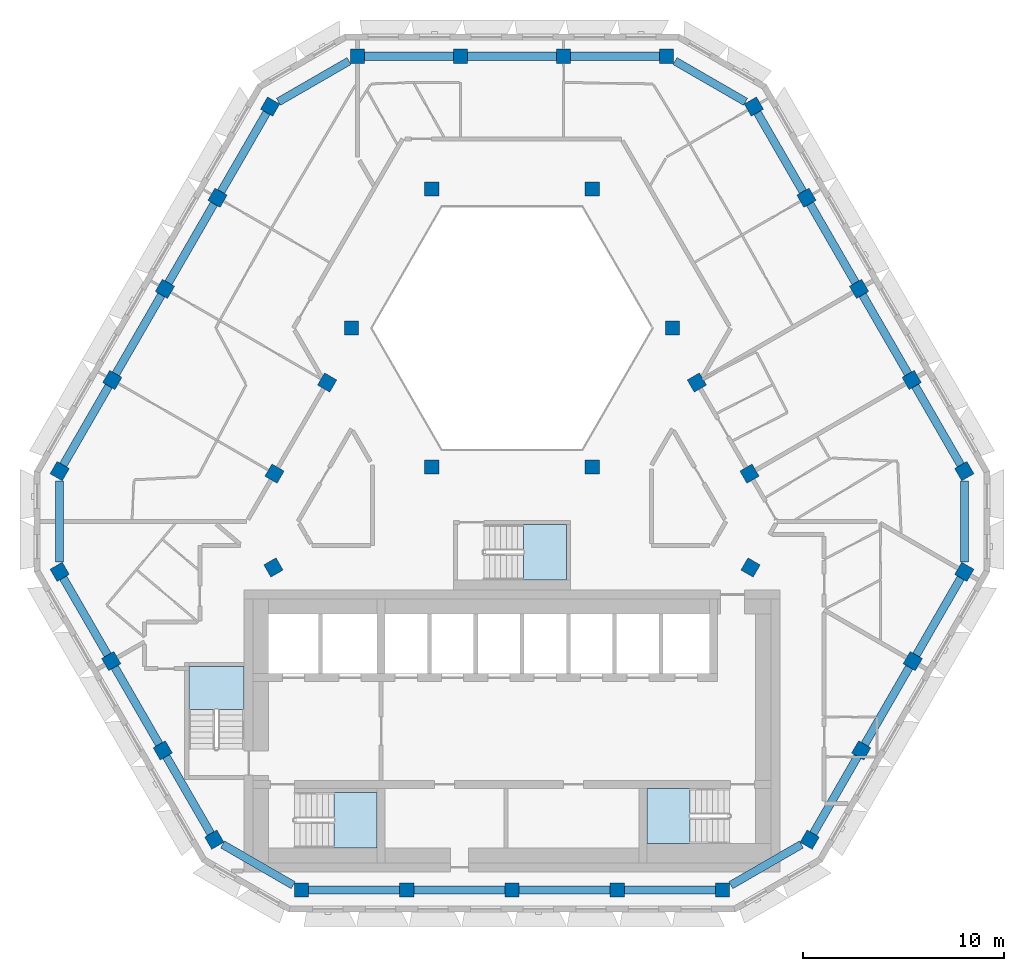
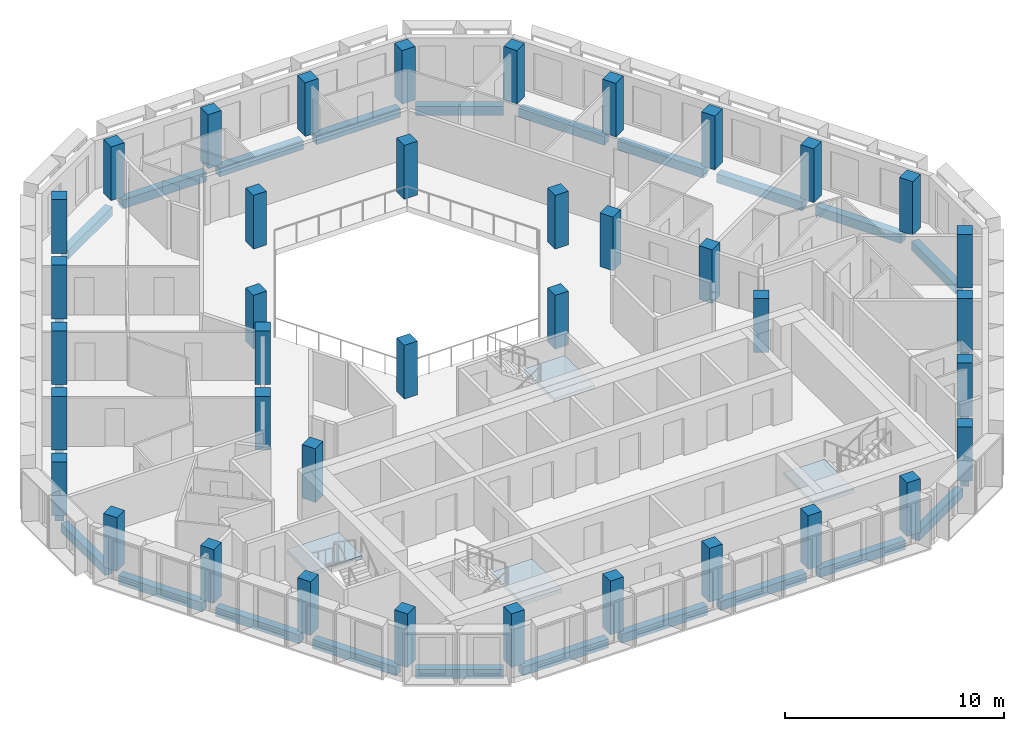
# One storey, part 1 of 16: 39 columns, 27 beams, 4 slabs, 4 elements without a shape of their own.
"""IFC4 building model written with IfcOpenShell, lengths in metres."""

from ifc_helpers import new_model, si_unit, direction, frame, origin, origin_2d, place, context, subcontext, project, spatial, polyline, rectangle, outline, extrude, material, layer, layer_set, material_profile, profile_set, type_object, element, aggregate, save


model = new_model("IFC4")

# Units and contexts
model_context = context("Model", 3, precision=1e-05, world=origin(), true_north=direction((0.0, 1.0)))
body_context = subcontext(model_context, "Body", "Model", "MODEL_VIEW")
ifc_project = project(units=[si_unit("LENGTHUNIT", "METRE"), si_unit("AREAUNIT", "SQUARE_METRE"), si_unit("VOLUMEUNIT", "CUBIC_METRE"), si_unit("PLANEANGLEUNIT", "RADIAN"), si_unit("MASSUNIT", "GRAM", prefix="KILO")], contexts=[model_context])

# Site, building, storey
site_placement = place(None, origin())
site = spatial("IfcSite", under=ifc_project, at=site_placement, CompositionType="ELEMENT")
building_placement = place(site_placement, origin())
building = spatial("IfcBuilding", under=site, at=building_placement, Name="Beryl Residences", CompositionType="ELEMENT")
storey_placement = place(building_placement, frame((0.0, 0.0, 238.800048828125)))
storey = spatial("IfcBuildingStorey", under=building, at=storey_placement, Name="L74", CompositionType="ELEMENT", Elevation=238.800048828125)

# Columns
ifc_material_1 = material(Name="Concrete C50/60", Category="concrete")
ifc_material_profile_1 = material_profile(ifc_material_1, rectangle(XDim=0.699951171875, YDim=0.699951171875, at=origin_2d()))
ifc_profile_set_1 = profile_set([ifc_material_profile_1], Name="Concrete C50/60")
column_type_1 = type_object("IfcColumnType", Name="C5 tube column 700 x 700 C50/60", PredefinedType="COLUMN", material=ifc_profile_set_1)
for number, where, z_axis, x_axis, name in (
    (1, (7.678955078125, 21.5, 0.0), (0.0, 0.0, 1.0), (-1.0, 0.0, 0.0), "C5-N1 L74"),
    (2, (2.56005859375, 21.5, 0.0), (0.0, 0.0, 1.0), (-1.0, 0.0, 0.0), "C5-N2 L74"),
    (3, (-2.55908203125, 21.5, 0.0), (0.0, 0.0, 1.0), (-1.0, 0.0, 0.0), "C5-N3 L74"),
    (4, (-7.677978515625, 21.5, 0.0), (0.0, 0.0, 1.0), (-1.0, 0.0, 0.0), "C5-N4 L74"),
    (5, (-12.009033203125, 19.0, 0.0), (0.0, 0.0, 1.0), (-0.499969769706, -0.866042856549, 0.0), "C5-NW1 L74"),
    (6, (-14.62109375, 14.47509765625, 0.0), (0.0, 0.0, 1.0), (-0.499969769706, -0.866042856549, 0.0), "C5-NW2 L74"),
    (7, (-17.23291015625, 9.949951171875, 0.0), (0.0, 0.0, 1.0), (-0.499969769706, -0.866042856549, 0.0), "C5-NW3 L74"),
    (8, (-19.845947265625, 5.425048828125, 0.0), (0.0, 0.0, 1.0), (-0.499969769706, -0.866042856549, 0.0), "C5-NW4 L74"),
    (9, (-22.4580078125, 0.89990234375, 0.0), (0.0, 0.0, 1.0), (-0.499969769706, -0.866042856549, 0.0), "C5-NW5 L74"),
    (10, (-22.458984375, -4.10009765625, 0.0), (0.0, 0.0, 1.0), (0.499984884929, -0.866034130299, 0.0), "C5-SW1 L74"),
    (11, (-19.89892578125, -8.532958984375, 0.0), (0.0, 0.0, 1.0), (0.499984884929, -0.866034130299, 0.0), "C5-SW2 L74"),
    (12, (-17.340087890625, -12.966064453125, 0.0), (0.0, 0.0, 1.0), (0.499984884929, -0.866034130299, 0.0), "C5-SW3 L74"),
    (13, (-14.781005859375, -17.39892578125, 0.0), (0.0, 0.0, 1.0), (0.499984884929, -0.866034130299, 0.0), "C5-SW4 L74"),
    (14, (-10.449951171875, -19.89990234375, 0.0), (0.0, 0.0, 1.0), (1.0, 0.0, 0.0), "C5-S1 L74"),
    (15, (-5.22509765625, -19.89990234375, 0.0), (0.0, 0.0, 1.0), (1.0, 0.0, 0.0), "C5-S2 L74"),
    (16, (0.0, -19.89990234375, 0.0), (0.0, 0.0, 1.0), (1.0, 0.0, 0.0), "C5-S3 L74"),
    (17, (5.22509765625, -19.89990234375, 0.0), (0.0, 0.0, 1.0), (1.0, 0.0, 0.0), "C5-S4 L74"),
    (18, (10.449951171875, -19.89990234375, 0.0), (0.0, 0.0, 1.0), (1.0, 0.0, 0.0), "C5-S5 L74"),
    (19, (14.780029296875, -17.39990234375, 0.0), (0.0, 0.0, 1.0), (0.499984884929, 0.866034130299, 0.0), "C5-SE1 L74"),
    (20, (17.339111328125, -12.967041015625, 0.0), (0.0, 0.0, 1.0), (0.499984884929, 0.866034130299, 0.0), "C5-SE2 L74"),
    (21, (19.89892578125, -8.533935546875, 0.0), (0.0, 0.0, 1.0), (0.499984884929, 0.866034130299, 0.0), "C5-SE3 L74"),
    (22, (22.4580078125, -4.10107421875, 0.0), (0.0, 0.0, 1.0), (0.499984884929, 0.866034130299, 0.0), "C5-SE4 L74"),
    (23, (22.4580078125, 0.89990234375, 0.0), (0.0, 0.0, 1.0), (-0.499969769706, 0.866042856549, 0.0), "C5-NE1 L74"),
    (24, (19.845947265625, 5.425048828125, 0.0), (0.0, 0.0, 1.0), (-0.499969769706, 0.866042856549, 0.0), "C5-NE2 L74"),
    (25, (17.23291015625, 9.949951171875, 0.0), (0.0, 0.0, 1.0), (-0.499969769706, 0.866042856549, 0.0), "C5-NE3 L74"),
    (26, (14.62109375, 14.47509765625, 0.0), (0.0, 0.0, 1.0), (-0.499969769706, 0.866042856549, 0.0), "C5-NE4 L74"),
    (27, (12.009033203125, 19.0, 0.0), (0.0, 0.0, 1.0), (-0.499969769706, 0.866042856549, 0.0), "C5-NE5 L74"),
):
    element("IfcColumn", number, at=place(storey_placement, frame(where, z_axis=z_axis, x_axis=x_axis)), inside=storey, type_object=column_type_1, Name=name, PredefinedType="COLUMN", context=body_context, shape_type="SweptSolid", body=[
        extrude(rectangle(XDim=0.699951171875, YDim=0.699951171875, at=origin_2d()), origin(), (0.0, 0.0, 1.0), 3.0),
    ])
ifc_material_2 = material(Name="Concrete C50/60", Category="concrete")
ifc_material_profile_2 = material_profile(ifc_material_2, rectangle(XDim=0.699951171875, YDim=0.699951171875, at=origin_2d()))
ifc_profile_set_2 = profile_set([ifc_material_profile_2], Name="Concrete C50/60")
column_type_2 = type_object("IfcColumnType", Name="IC5 interior column 700 x 700 C50/60", PredefinedType="COLUMN", material=ifc_profile_set_2)
for number, where, z_axis, x_axis, name in (
    (28, (-11.844970703125, -3.883056640625, 0.0), (0.0, 0.0, 1.0), (0.499984884929, -0.866034130299, 0.0), "IC5-M01 L74"),
    (29, (11.844970703125, -3.884033203125, 0.0), (0.0, 0.0, 1.0), (0.499984884929, 0.866034130299, 0.0), "IC5-M02 L74"),
    (30, (11.7919921875, 0.77490234375, 0.0), (0.0, 0.0, 1.0), (-0.499969769706, 0.866042856549, 0.0), "IC5-M03 L74"),
    (31, (3.98388671875, 1.10009765625, 0.0), (0.0, 0.0, 1.0), (1.0, 0.0, 0.0), "IC5-A04 L74"),
    (32, (9.178955078125, 5.300048828125, 0.0), (0.0, 0.0, 1.0), (-0.499969769706, 0.866042856549, 0.0), "IC5-M05 L74"),
    (33, (7.967041015625, 8.0, 0.0), (0.0, 0.0, 1.0), (1.0, 0.0, 0.0), "IC5-A06 L74"),
    (34, (3.98388671875, 14.89990234375, 0.0), (0.0, 0.0, 1.0), (1.0, 0.0, 0.0), "IC5-A07 L74"),
    (35, (-3.98388671875, 14.89990234375, 0.0), (0.0, 0.0, 1.0), (1.0, 0.0, 0.0), "IC5-A08 L74"),
    (36, (-7.967041015625, 8.0, 0.0), (0.0, 0.0, 1.0), (1.0, 0.0, 0.0), "IC5-A09 L74"),
    (37, (-9.178955078125, 5.300048828125, 0.0), (0.0, 0.0, 1.0), (-0.499969769706, -0.866042856549, 0.0), "IC5-M10 L74"),
    (38, (-3.98388671875, 1.10009765625, 0.0), (0.0, 0.0, 1.0), (1.0, 0.0, 0.0), "IC5-A11 L74"),
    (39, (-11.7919921875, 0.77490234375, 0.0), (0.0, 0.0, 1.0), (-0.499969769706, -0.866042856549, 0.0), "IC5-M12 L74"),
):
    element("IfcColumn", number, at=place(storey_placement, frame(where, z_axis=z_axis, x_axis=x_axis)), inside=storey, type_object=column_type_2, Name=name, PredefinedType="COLUMN", context=body_context, shape_type="SweptSolid", body=[
        extrude(rectangle(XDim=0.699951171875, YDim=0.699951171875, at=origin_2d()), origin(), (0.0, 0.0, 1.0), 3.0),
    ])

# Beams
ifc_material_3 = material(Name="Concrete C50/60", Category="concrete")
ifc_material_profile_3 = material_profile(ifc_material_3, rectangle(XDim=0.39990234375, YDim=0.5, at=origin_2d()))
ifc_profile_set_3 = profile_set([ifc_material_profile_3], Name="Concrete C50/60")
beam_type = type_object("IfcBeamType", Name="SB5 spandrel beam 400 x 500 C50/60", PredefinedType="SPANDREL", material=ifc_profile_set_3)
beam_1_placement = place(storey_placement, frame((7.3291015625, 21.5, -0.550048828125), z_axis=(-1.0, 0.0, 0.0), x_axis=(0.0, -1.0, 0.0)))
element("IfcBeam", 40, at=beam_1_placement, inside=storey, type_object=beam_type, Name="SB5 L74 N-0", PredefinedType="SPANDREL", context=body_context, shape_type="SweptSolid", body=[
    extrude(rectangle(XDim=0.39990234375, YDim=0.5, at=origin_2d()), origin(), (0.0, 0.0, 1.0), 4.419189453125),
])
for number, where, z_axis, x_axis, name in (
    (41, (2.2099609375, 21.5, -0.550048828125), (-1.0, 0.0, 0.0), (0.0, -1.0, 0.0), "SB5 L74 N-1"),
    (42, (-2.908935546875, 21.5, -0.550048828125), (-1.0, 0.0, 0.0), (0.0, -1.0, 0.0), "SB5 L74 N-2"),
):
    element("IfcBeam", number, at=place(storey_placement, frame(where, z_axis=z_axis, x_axis=x_axis)), inside=storey, type_object=beam_type, Name=name, PredefinedType="SPANDREL", context=body_context, shape_type="SweptSolid", body=[
        extrude(rectangle(XDim=0.39990234375, YDim=0.5, at=origin_2d()), origin(), (0.0, 0.0, 1.0), 4.4189453125),
    ])
beam_2_placement = place(storey_placement, frame((-8.092041015625, 21.260986328125, -0.550048828125), z_axis=(-0.866073013527, -0.499917528438, 0.0), x_axis=(0.499917528438, -0.866073013527, 0.0)))
element("IfcBeam", 43, at=beam_2_placement, inside=storey, type_object=beam_type, Name="SB5 L74 N-3", PredefinedType="SPANDREL", context=body_context, shape_type="SweptSolid", body=[
    extrude(rectangle(XDim=0.39990234375, YDim=0.5, at=origin_2d()), origin(), (0.0, 0.0, 1.0), 4.044677734375),
])
beam_3_placement = place(storey_placement, frame((-12.18408203125, 18.697021484375, -0.550048828125), z_axis=(-0.499893710643, -0.866086761277, 0.0), x_axis=(0.866086761277, -0.499893710643, 0.0)))
element("IfcBeam", 44, at=beam_3_placement, inside=storey, type_object=beam_type, Name="SB5 L74 NW-0", PredefinedType="SPANDREL", context=body_context, shape_type="SweptSolid", body=[
    extrude(rectangle(XDim=0.39990234375, YDim=0.5, at=origin_2d()), origin(), (0.0, 0.0, 1.0), 4.52490234375),
])
beam_4_placement = place(storey_placement, frame((-14.7958984375, 14.172119140625, -0.550048828125), z_axis=(-0.499910821401, -0.866076884951, 0.0), x_axis=(0.866076884951, -0.499910821401, 0.0)))
element("IfcBeam", 45, at=beam_4_placement, inside=storey, type_object=beam_type, Name="SB5 L74 NW-1", PredefinedType="SPANDREL", context=body_context, shape_type="SweptSolid", body=[
    extrude(rectangle(XDim=0.39990234375, YDim=0.5, at=origin_2d()), origin(), (0.0, 0.0, 1.0), 4.525146484375),
])
beam_5_placement = place(storey_placement, frame((-17.407958984375, 9.64697265625, -0.550048828125), z_axis=(-0.500055572588, -0.865993316558, 0.0), x_axis=(0.865993316558, -0.500055572588, 0.0)))
element("IfcBeam", 46, at=beam_5_placement, inside=storey, type_object=beam_type, Name="SB5 L74 NW-2", PredefinedType="SPANDREL", context=body_context, shape_type="SweptSolid", body=[
    extrude(rectangle(XDim=0.39990234375, YDim=0.5, at=origin_2d()), origin(), (0.0, 0.0, 1.0), 4.525390625),
])
beam_6_placement = place(storey_placement, frame((-20.02099609375, 5.1220703125, -0.550048828125), z_axis=(-0.499870351634, -0.866100243365, 0.0), x_axis=(0.866100243365, -0.499870351634, 0.0)))
element("IfcBeam", 47, at=beam_6_placement, inside=storey, type_object=beam_type, Name="SB5 L74 NW-3", PredefinedType="SPANDREL", context=body_context, shape_type="SweptSolid", body=[
    extrude(rectangle(XDim=0.39990234375, YDim=0.5, at=origin_2d()), origin(), (0.0, 0.0, 1.0), 4.525146484375),
])
beam_7_placement = place(storey_placement, frame((-22.4580078125, 0.422119140625, -0.550048828125), z_axis=(-0.000241472978, -0.999999970845, 0.0), x_axis=(0.999999970845, -0.000241472978, 0.0)))
element("IfcBeam", 48, at=beam_7_placement, inside=storey, type_object=beam_type, Name="SB5 L74 NW-4", PredefinedType="SPANDREL", context=body_context, shape_type="SweptSolid", body=[
    extrude(rectangle(XDim=0.39990234375, YDim=0.5, at=origin_2d()), origin(), (0.0, 0.0, 1.0), 4.044189453125),
])
beam_8_placement = place(storey_placement, frame((-22.283935546875, -4.403076171875, -0.550048828125), z_axis=(0.500084296963, -0.86597672944, 0.0), x_axis=(0.86597672944, 0.500084296963, 0.0)))
element("IfcBeam", 49, at=beam_8_placement, inside=storey, type_object=beam_type, Name="SB5 L74 SW-0", PredefinedType="SPANDREL", context=body_context, shape_type="SweptSolid", body=[
    extrude(rectangle(XDim=0.39990234375, YDim=0.5, at=origin_2d()), origin(), (0.0, 0.0, 1.0), 4.419189453125),
])
beam_9_placement = place(storey_placement, frame((-19.72412109375, -8.8359375, -0.550048828125), z_axis=(0.49993607075, -0.866062310208, 0.0), x_axis=(0.866062310208, 0.49993607075, 0.0)))
element("IfcBeam", 50, at=beam_9_placement, inside=storey, type_object=beam_type, Name="SB5 L74 SW-1", PredefinedType="SPANDREL", context=body_context, shape_type="SweptSolid", body=[
    extrude(rectangle(XDim=0.39990234375, YDim=0.5, at=origin_2d()), origin(), (0.0, 0.0, 1.0), 4.4189453125),
])
beam_10_placement = place(storey_placement, frame((-17.1650390625, -13.26904296875, -0.550048828125), z_axis=(0.499918550948, -0.86607242331, 0.0), x_axis=(0.86607242331, 0.499918550948, 0.0)))
element("IfcBeam", 51, at=beam_10_placement, inside=storey, type_object=beam_type, Name="SB5 L74 SW-2", PredefinedType="SPANDREL", context=body_context, shape_type="SweptSolid", body=[
    extrude(rectangle(XDim=0.39990234375, YDim=0.5, at=origin_2d()), origin(), (0.0, 0.0, 1.0), 4.418701171875),
])
beam_11_placement = place(storey_placement, frame((-14.366943359375, -17.637939453125, -0.550048828125), z_axis=(0.865968468779, -0.500098601359, 0.0), x_axis=(0.500098601359, 0.865968468779, 0.0)))
element("IfcBeam", 52, at=beam_11_placement, inside=storey, type_object=beam_type, Name="SB5 L74 SW-3", PredefinedType="SPANDREL", context=body_context, shape_type="SweptSolid", body=[
    extrude(rectangle(XDim=0.39990234375, YDim=0.5, at=origin_2d()), origin(), (0.0, 0.0, 1.0), 4.045166015625),
])
beam_12_placement = place(storey_placement, frame((-10.10009765625, -19.89990234375, -0.550048828125), z_axis=(1.0, 0.0, 0.0), x_axis=(0.0, 1.0, 0.0)))
element("IfcBeam", 53, at=beam_12_placement, inside=storey, type_object=beam_type, Name="SB5 L74 S-0", PredefinedType="SPANDREL", context=body_context, shape_type="SweptSolid", body=[
    extrude(rectangle(XDim=0.39990234375, YDim=0.5, at=origin_2d()), origin(), (0.0, 0.0, 1.0), 4.525146484375),
])
for number, where, z_axis, x_axis, name in (
    (54, (-4.875, -19.89990234375, -0.550048828125), (1.0, 0.0, 0.0), (0.0, 1.0, 0.0), "SB5 L74 S-1"),
    (55, (0.35009765625, -19.89990234375, -0.550048828125), (1.0, 0.0, 0.0), (0.0, 1.0, 0.0), "SB5 L74 S-2"),
):
    element("IfcBeam", number, at=place(storey_placement, frame(where, z_axis=z_axis, x_axis=x_axis)), inside=storey, type_object=beam_type, Name=name, PredefinedType="SPANDREL", context=body_context, shape_type="SweptSolid", body=[
        extrude(rectangle(XDim=0.39990234375, YDim=0.5, at=origin_2d()), origin(), (0.0, 0.0, 1.0), 4.52490234375),
    ])
beam_13_placement = place(storey_placement, frame((5.574951171875, -19.89990234375, -0.550048828125), z_axis=(1.0, 0.0, 0.0), x_axis=(0.0, 1.0, 0.0)))
element("IfcBeam", 56, at=beam_13_placement, inside=storey, type_object=beam_type, Name="SB5 L74 S-3", PredefinedType="SPANDREL", context=body_context, shape_type="SweptSolid", body=[
    extrude(rectangle(XDim=0.39990234375, YDim=0.5, at=origin_2d()), origin(), (0.0, 0.0, 1.0), 4.525146484375),
])
beam_14_placement = place(storey_placement, frame((10.864013671875, -19.660888671875, -0.550048828125), z_axis=(0.866012652573, 0.500022085096, 0.0), x_axis=(-0.500022085096, 0.866012652573, 0.0)))
element("IfcBeam", 57, at=beam_14_placement, inside=storey, type_object=beam_type, Name="SB5 L74 S-4", PredefinedType="SPANDREL", context=body_context, shape_type="SweptSolid", body=[
    extrude(rectangle(XDim=0.39990234375, YDim=0.5, at=origin_2d()), origin(), (0.0, 0.0, 1.0), 4.043701171875),
])
beam_15_placement = place(storey_placement, frame((14.955078125, -17.096923828125, -0.550048828125), z_axis=(0.499918550948, 0.86607242331, 0.0), x_axis=(-0.86607242331, 0.499918550948, 0.0)))
element("IfcBeam", 58, at=beam_15_placement, inside=storey, type_object=beam_type, Name="SB5 L74 SE-0", PredefinedType="SPANDREL", context=body_context, shape_type="SweptSolid", body=[
    extrude(rectangle(XDim=0.39990234375, YDim=0.5, at=origin_2d()), origin(), (0.0, 0.0, 1.0), 4.418701171875),
])
beam_16_placement = place(storey_placement, frame((17.513916015625, -12.6640625, -0.550048828125), z_axis=(0.500101800387, 0.865966621326, 0.0), x_axis=(-0.865966621326, 0.500101800387, 0.0)))
element("IfcBeam", 59, at=beam_16_placement, inside=storey, type_object=beam_type, Name="SB5 L74 SE-1", PredefinedType="SPANDREL", context=body_context, shape_type="SweptSolid", body=[
    extrude(rectangle(XDim=0.39990234375, YDim=0.5, at=origin_2d()), origin(), (0.0, 0.0, 1.0), 4.41943359375),
])
beam_17_placement = place(storey_placement, frame((20.073974609375, -8.23095703125, -0.550048828125), z_axis=(0.499918550948, 0.86607242331, 0.0), x_axis=(-0.86607242331, 0.499918550948, 0.0)))
element("IfcBeam", 60, at=beam_17_placement, inside=storey, type_object=beam_type, Name="SB5 L74 SE-2", PredefinedType="SPANDREL", context=body_context, shape_type="SweptSolid", body=[
    extrude(rectangle(XDim=0.39990234375, YDim=0.5, at=origin_2d()), origin(), (0.0, 0.0, 1.0), 4.418701171875),
])
beam_18_placement = place(storey_placement, frame((22.4580078125, -3.623046875, -0.550048828125), z_axis=(0.0, 1.0, 0.0), x_axis=(-1.0, 0.0, 0.0)))
element("IfcBeam", 61, at=beam_18_placement, inside=storey, type_object=beam_type, Name="SB5 L74 SE-3", PredefinedType="SPANDREL", context=body_context, shape_type="SweptSolid", body=[
    extrude(rectangle(XDim=0.39990234375, YDim=0.5, at=origin_2d()), origin(), (0.0, 0.0, 1.0), 4.045166015625),
])
beam_19_placement = place(storey_placement, frame((22.282958984375, 1.202880859375, -0.550048828125), z_axis=(-0.499870351634, 0.866100243365, 0.0), x_axis=(-0.866100243365, -0.499870351634, 0.0)))
element("IfcBeam", 62, at=beam_19_placement, inside=storey, type_object=beam_type, Name="SB5 L74 NE-0", PredefinedType="SPANDREL", context=body_context, shape_type="SweptSolid", body=[
    extrude(rectangle(XDim=0.39990234375, YDim=0.5, at=origin_2d()), origin(), (0.0, 0.0, 1.0), 4.525146484375),
])
beam_20_placement = place(storey_placement, frame((19.6708984375, 5.72802734375, -0.550048828125), z_axis=(-0.500055572588, 0.865993316558, 0.0), x_axis=(-0.865993316558, -0.500055572588, 0.0)))
element("IfcBeam", 63, at=beam_20_placement, inside=storey, type_object=beam_type, Name="SB5 L74 NE-1", PredefinedType="SPANDREL", context=body_context, shape_type="SweptSolid", body=[
    extrude(rectangle(XDim=0.39990234375, YDim=0.5, at=origin_2d()), origin(), (0.0, 0.0, 1.0), 4.525390625),
])
beam_21_placement = place(storey_placement, frame((17.05810546875, 10.2529296875, -0.550048828125), z_axis=(-0.499910821401, 0.866076884951, 0.0), x_axis=(-0.866076884951, -0.499910821401, 0.0)))
element("IfcBeam", 64, at=beam_21_placement, inside=storey, type_object=beam_type, Name="SB5 L74 NE-2", PredefinedType="SPANDREL", context=body_context, shape_type="SweptSolid", body=[
    extrude(rectangle(XDim=0.39990234375, YDim=0.5, at=origin_2d()), origin(), (0.0, 0.0, 1.0), 4.525146484375),
])
beam_22_placement = place(storey_placement, frame((14.446044921875, 14.778076171875, -0.550048828125), z_axis=(-0.499893710643, 0.866086761277, 0.0), x_axis=(-0.866086761277, -0.499893710643, 0.0)))
element("IfcBeam", 65, at=beam_22_placement, inside=storey, type_object=beam_type, Name="SB5 L74 NE-3", PredefinedType="SPANDREL", context=body_context, shape_type="SweptSolid", body=[
    extrude(rectangle(XDim=0.39990234375, YDim=0.5, at=origin_2d()), origin(), (0.0, 0.0, 1.0), 4.52490234375),
])
beam_23_placement = place(storey_placement, frame((11.594970703125, 19.239013671875, -0.550048828125), z_axis=(-0.866012652573, 0.500022085096, 0.0), x_axis=(-0.500022085096, -0.866012652573, 0.0)))
element("IfcBeam", 66, at=beam_23_placement, inside=storey, type_object=beam_type, Name="SB5 L74 NE-4", PredefinedType="SPANDREL", context=body_context, shape_type="SweptSolid", body=[
    extrude(rectangle(XDim=0.39990234375, YDim=0.5, at=origin_2d()), origin(), (0.0, 0.0, 1.0), 4.043701171875),
])

# Stair, slab
ifc_material_4 = material(Name="Concrete C40/50", Category="concrete")
stair_type = type_object("IfcStairType", Name="ST1 protected exit stair, half-turn, 1300 mm flights", PredefinedType="HALF_TURN_STAIR", material=ifc_material_4)
stair_1_placement = place(storey_placement, origin())
stair_1 = element("IfcStair", 67, at=stair_1_placement, inside=storey, type_object=stair_type, Name="L74 PROTECTED EXIT STAIR ST-1", PredefinedType="HALF_TURN_STAIR")
ifc_material_5 = material(Name="Concrete C40/50", Category="concrete")
ifc_layer = layer(ifc_material_5, 0.199951171875)
ifc_layer_set = layer_set([ifc_layer], Name="SLD1 stair landing 200 mm")
slab_type = type_object("IfcSlabType", Name="SLD1 stair landing 200 mm", PredefinedType="LANDING", material=ifc_layer_set)
slab_1_placement = place(storey_placement, frame((0.0, 0.0, 1.300048828125)))
slab_1 = element("IfcSlab", 68, at=slab_1_placement, type_object=slab_type, Name="ST-1 landing 1", PredefinedType="LANDING", context=body_context, shape_type="SweptSolid", body=[
    extrude(outline(polyline([(-8.840087890625, -17.800048828125), (-6.699951171875, -17.800048828125), (-6.699951171875, -15.050048828125), (-8.840087890625, -15.050048828125), (-8.840087890625, -17.800048828125)])), origin(), (0.0, 0.0, 1.0), 0.199951171875),
])
aggregate(stair_1, [slab_1])

stair_2_placement = place(storey_placement, origin())
stair_2 = element("IfcStair", 69, at=stair_2_placement, inside=storey, type_object=stair_type, Name="L74 PROTECTED EXIT STAIR ST-2", PredefinedType="HALF_TURN_STAIR")
slab_2_placement = place(storey_placement, frame((0.0, 0.0, 1.300048828125)))
slab_2 = element("IfcSlab", 70, at=slab_2_placement, type_object=slab_type, Name="ST-2 landing 1", PredefinedType="LANDING", context=body_context, shape_type="SweptSolid", body=[
    extrude(outline(polyline([(-13.300048828125, -10.93994140625), (-13.300048828125, -8.800048828125), (-16.050048828125, -8.800048828125), (-16.050048828125, -10.93994140625), (-13.300048828125, -10.93994140625)])), origin(), (0.0, 0.0, 1.0), 0.199951171875),
])
aggregate(stair_2, [slab_2])

stair_3_placement = place(storey_placement, origin())
stair_3 = element("IfcStair", 71, at=stair_3_placement, inside=storey, type_object=stair_type, Name="L74 PROTECTED EXIT STAIR ST-3", PredefinedType="HALF_TURN_STAIR")
slab_3_placement = place(storey_placement, frame((0.0, 0.0, 1.300048828125)))
slab_3 = element("IfcSlab", 72, at=slab_3_placement, type_object=slab_type, Name="ST-3 landing 1", PredefinedType="LANDING", context=body_context, shape_type="SweptSolid", body=[
    extrude(outline(polyline([(8.840087890625, -14.85009765625), (6.699951171875, -14.85009765625), (6.699951171875, -17.60009765625), (8.840087890625, -17.60009765625), (8.840087890625, -14.85009765625)])), origin(), (0.0, 0.0, 1.0), 0.199951171875),
])
aggregate(stair_3, [slab_3])

stair_4_placement = place(storey_placement, origin())
stair_4 = element("IfcStair", 73, at=stair_4_placement, inside=storey, type_object=stair_type, Name="L74 PROTECTED EXIT STAIR ST-4", PredefinedType="HALF_TURN_STAIR")
slab_4_placement = place(storey_placement, frame((0.0, 0.0, 1.300048828125)))
slab_4 = element("IfcSlab", 74, at=slab_4_placement, type_object=slab_type, Name="ST-4 landing 1", PredefinedType="LANDING", context=body_context, shape_type="SweptSolid", body=[
    extrude(outline(polyline([(0.56005859375, -4.5), (2.699951171875, -4.5), (2.699951171875, -1.75), (0.56005859375, -1.75), (0.56005859375, -4.5)])), origin(), (0.0, 0.0, 1.0), 0.199951171875),
])
aggregate(stair_4, [slab_4])

save(model, "model.ifc")
